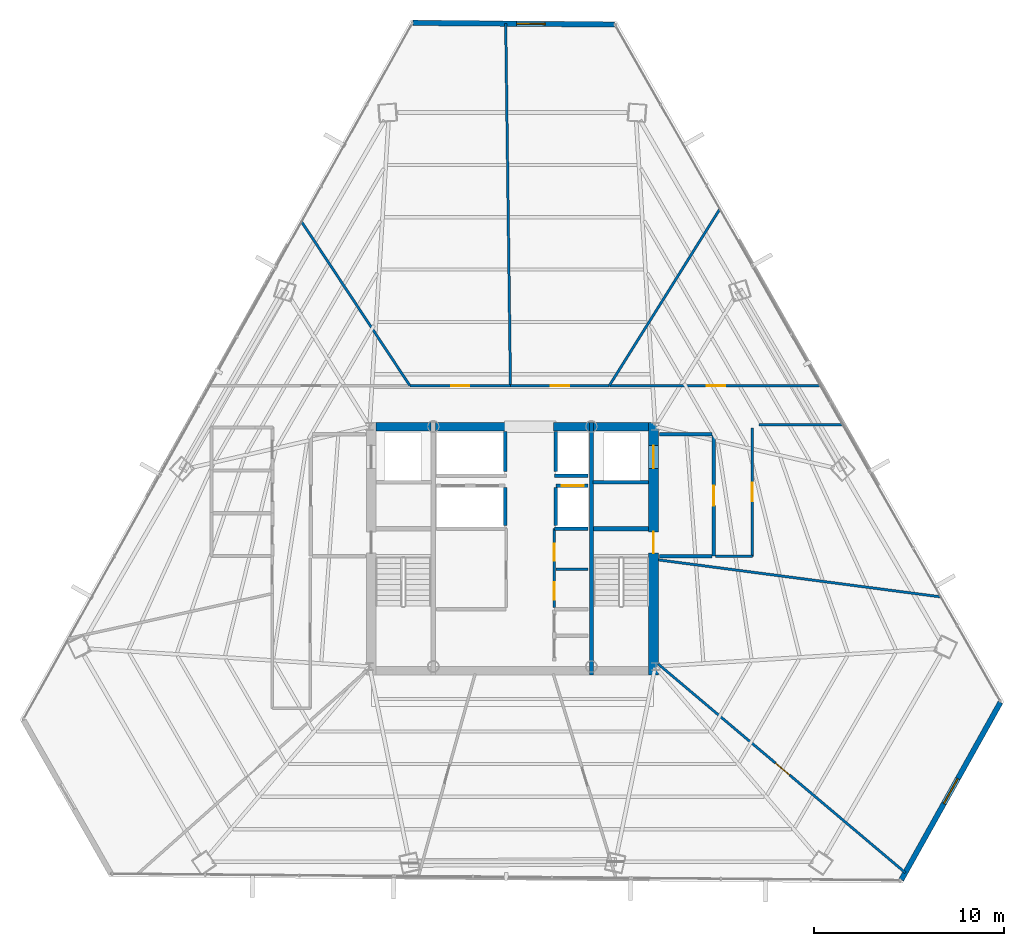
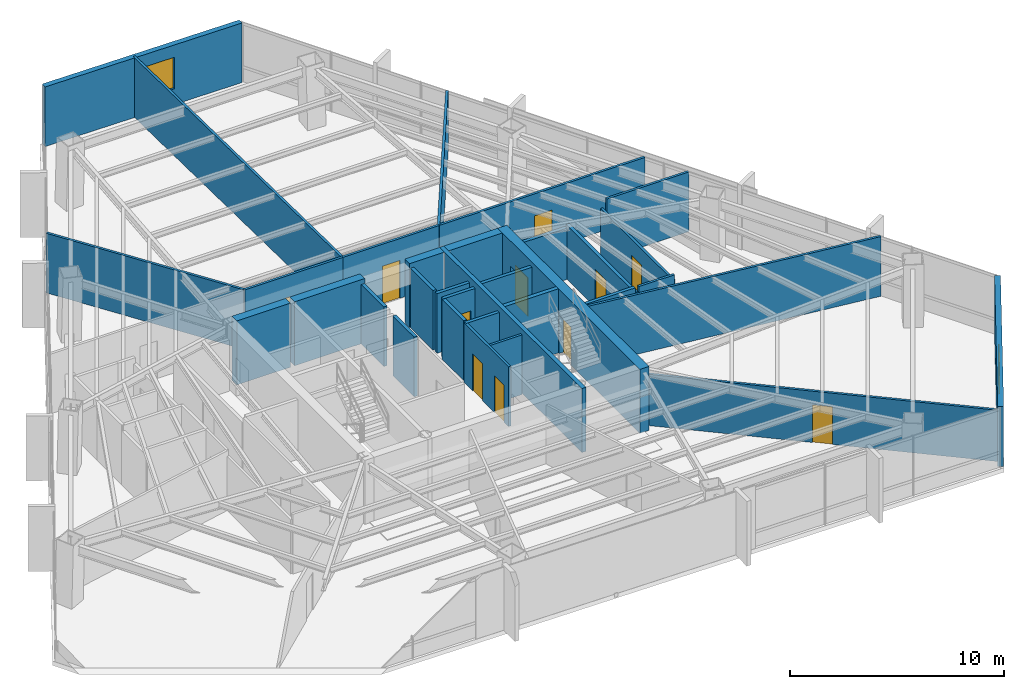
# One storey, part 35 of 39: 33 walls, 11 doors, 2 windows, 13 openings.
"""IFC4 building model written with IfcOpenShell, lengths in metres."""

import ifcopenshell
import ifcopenshell.guid

model = None  # the IFC model being written
_history = None  # IfcOwnerHistory: only IFC2X3 demands one
_inside = {}  # id of a spatial element -> (the spatial element, [elements in it])
_under = {}  # id of a project, library or spatial element -> (it, [spatial elements below it])
_declared = {}  # id of a project -> (the project, [libraries it declares])
_typed = {}  # id of a type object -> (the type object, [elements of that type])
_made_of = {}  # id of a material, layer set ... -> (it, [elements and type objects made of it])


def new_model(schema):
    """Start an empty IFC model of exactly this schema.

    Asked for "IFC4X3", IfcOpenShell would pick the latest addendum, in which some entities
    have other attributes; the version numbers below select the first issue.
    IFC2X3 requires an IfcOwnerHistory on every rooted entity: one is made here for all.
    """
    global model, _history
    if schema == "IFC4X3":
        model = ifcopenshell.file(schema_version=(4, 3, 0, 0))
    else:
        model = ifcopenshell.file(schema=schema)
    _inside.clear()
    _under.clear()
    _declared.clear()
    _typed.clear()
    _made_of.clear()
    _history = None
    if model.schema == "IFC2X3":
        org = make("IfcOrganization", Name="unknown")
        user = make(
            "IfcPersonAndOrganization",
            ThePerson=make("IfcPerson", FamilyName="unknown"),
            TheOrganization=org,
        )
        app = make(
            "IfcApplication",
            ApplicationDeveloper=org,
            Version="unknown",
            ApplicationFullName="unknown",
            ApplicationIdentifier="unknown",
        )
        _history = make(
            "IfcOwnerHistory",
            OwningUser=user,
            OwningApplication=app,
            ChangeAction="ADDED",
            CreationDate=0,
        )
    return model


def make(cls, **values):
    """One entity of the class cls with the attributes given. An attribute that is None is left unset."""
    return model.create_entity(
        cls, **{name: value for name, value in values.items() if value is not None}
    )


def rooted(cls, **values):
    """An entity with a GlobalId (a new one), such as an element, a storey or a relation."""
    return make(cls, GlobalId=ifcopenshell.guid.new(), OwnerHistory=_history, **values)


def si_unit(unit_type, name, prefix=None):
    """IfcSIUnit, for example si_unit("LENGTHUNIT", "METRE", prefix="MILLI")."""
    return make("IfcSIUnit", UnitType=unit_type, Prefix=prefix, Name=name)


def assignment(units):
    """IfcUnitAssignment: the units of a project."""
    return None if units is None else make("IfcUnitAssignment", Units=units)


def point(xyz):
    """IfcCartesianPoint."""
    return None if xyz is None else make("IfcCartesianPoint", Coordinates=xyz)


def direction(xyz):
    """IfcDirection."""
    return None if xyz is None else make("IfcDirection", DirectionRatios=xyz)


def frame(location, z_axis=None, x_axis=None):
    """IfcAxis2Placement3D, a coordinate frame: its origin and axes. An axis left out is left unset."""
    return make(
        "IfcAxis2Placement3D",
        Location=point(location),
        Axis=direction(z_axis),
        RefDirection=direction(x_axis),
    )


def frame_2d(location, x_axis=None):
    """IfcAxis2Placement2D, a coordinate frame in the plane: its origin and x axis."""
    return make(
        "IfcAxis2Placement2D", Location=point(location), RefDirection=direction(x_axis)
    )


def origin():
    """The frame at (0, 0, 0) with its axes left unset."""
    return frame((0.0, 0.0, 0.0))


def place(relative_to, where):
    """IfcLocalPlacement: puts the frame where relative to a parent placement (None: the world)."""
    return make(
        "IfcLocalPlacement", PlacementRelTo=relative_to, RelativePlacement=where
    )


def context(
    kind, dimensions, precision=None, world=None, true_north=None, identifier=None
):
    """IfcGeometricRepresentationContext, for example the 3D "Model" context."""
    return make(
        "IfcGeometricRepresentationContext",
        ContextIdentifier=identifier,
        ContextType=kind,
        CoordinateSpaceDimension=dimensions,
        Precision=precision,
        WorldCoordinateSystem=world,
        TrueNorth=true_north,
    )


def subcontext(parent, identifier, kind, view, scale=None):
    """IfcGeometricRepresentationSubContext, for example "Body" below "Model"."""
    return make(
        "IfcGeometricRepresentationSubContext",
        ContextIdentifier=identifier,
        ContextType=kind,
        ParentContext=parent,
        TargetScale=scale,
        TargetView=view,
    )


def project(units=None, contexts=None):
    """IfcProject with its units and contexts."""
    return rooted(
        "IfcProject",
        Name="project",
        RepresentationContexts=contexts,
        UnitsInContext=assignment(units),
    )


def spatial(cls, under=None, at=None, **own):
    """A site, building, storey or space (cls), placed at a placement, below another one or the project."""
    s = rooted(cls, ObjectPlacement=at, **own)
    if under is not None:
        _under.setdefault(under.id(), (under, []))[1].append(s)
    return s


def profile(cls, at=None, kind="AREA", **sizes):
    """A parametric profile (cls). Its sizes go by their IFC names, for example OverallWidth=200.0."""
    return make(cls, ProfileType=kind, Position=at, **sizes)


def rectangle(**sizes):
    """IfcRectangleProfileDef."""
    return profile("IfcRectangleProfileDef", **sizes)


def extrude(swept, where, along, depth):
    """IfcExtrudedAreaSolid: the profile swept, set in the frame where, extruded along a direction by depth."""
    return make(
        "IfcExtrudedAreaSolid",
        SweptArea=swept,
        Position=where,
        ExtrudedDirection=direction(along),
        Depth=depth,
    )


def shape(context_of_items, identifier, shape_type, items):
    """IfcShapeRepresentation: the items that make up one representation, for example the "Body"."""
    return make(
        "IfcShapeRepresentation",
        ContextOfItems=context_of_items,
        RepresentationIdentifier=identifier,
        RepresentationType=shape_type,
        Items=items,
    )


def material(Name=None, Category=None):
    """IfcMaterial."""
    return make("IfcMaterial", Name=Name, Category=Category)


def layer(
    of_material, thickness, ventilated=None, Name=None, Category=None, Priority=None
):
    """IfcMaterialLayer: one layer of a wall or slab, of a material (None: an air gap)."""
    return make(
        "IfcMaterialLayer",
        Material=of_material,
        LayerThickness=thickness,
        IsVentilated=ventilated,
        Name=Name,
        Category=Category,
        Priority=Priority,
    )


def layer_set(layers, Name=None):
    """IfcMaterialLayerSet."""
    return make("IfcMaterialLayerSet", MaterialLayers=layers, LayerSetName=Name)


def made_of(thing, what):
    """Note that an element or type object is made of a material, layer set ...; save() writes the relation."""
    if what is not None:
        _made_of.setdefault(what.id(), (what, []))[1].append(thing)
    return thing


def type_object(cls, material=None, **own):
    """A type object (cls), such as IfcWallType, which elements share."""
    return made_of(rooted(cls, **own), material)


def element(
    cls,
    number,
    at=None,
    inside=None,
    cuts=None,
    type_object=None,
    material=None,
    context=None,
    identifier="Body",
    shape_type=None,
    held_by="IfcProductDefinitionShape",
    body=None,
    shapes=None,
    **own,
):
    """One element of the class cls, such as IfcWall. Its Tag is "e" and its number.

    at: its placement. inside: the storey or other place that contains it. cuts: it is an
    opening in that element (IfcRelVoidsElement). A single representation is given by context,
    identifier, shape_type and body (its items); several are given by shapes. held_by: the class
    of the entity that holds the representations. save() writes the other relations.
    """
    e = rooted(cls, Tag="e%d" % number, ObjectPlacement=at, **own)
    if body is not None:
        shapes = [shape(context, identifier, shape_type, body)]
    if shapes is not None:
        e.Representation = make(held_by, Representations=shapes)
    if inside is not None:
        _inside.setdefault(inside.id(), (inside, []))[1].append(e)
    if cuts is not None:
        rooted(
            "IfcRelVoidsElement", RelatingBuildingElement=cuts, RelatedOpeningElement=e
        )
    if type_object is not None:
        _typed.setdefault(type_object.id(), (type_object, []))[1].append(e)
    return made_of(e, material)


def fill(opening, filler):
    """IfcRelFillsElement: the door or window that sits in an opening."""
    return rooted(
        "IfcRelFillsElement",
        RelatingOpeningElement=opening,
        RelatedBuildingElement=filler,
    )


def aggregate(whole, parts):
    """IfcRelAggregates: a whole, such as a stair, and the parts it consists of."""
    return rooted("IfcRelAggregates", RelatingObject=whole, RelatedObjects=parts)


def save(model, path):
    """Write the relations noted so far, then the file.

    IfcRelAggregates (storeys below a building ...), IfcRelContainedInSpatialStructure (elements
    in a storey), IfcRelDefinesByType, IfcRelAssociatesMaterial and IfcRelDeclares: one each for
    every whole, place, type object, material and project.
    """
    for whole, parts in _under.values():
        aggregate(whole, parts)
    for where, things in _inside.values():
        rooted(
            "IfcRelContainedInSpatialStructure",
            RelatedElements=things,
            RelatingStructure=where,
        )
    for kind, things in _typed.values():
        rooted("IfcRelDefinesByType", RelatedObjects=things, RelatingType=kind)
    for what, things in _made_of.values():
        rooted("IfcRelAssociatesMaterial", RelatedObjects=things, RelatingMaterial=what)
    for by, libraries in _declared.values():
        rooted("IfcRelDeclares", RelatingContext=by, RelatedDefinitions=libraries)
    model.write(path)


model = new_model("IFC4")

# Units and contexts
model_context = context("Model", 3, precision=1e-05, world=origin(), true_north=direction((0.0, 1.0)))
body_context = subcontext(model_context, "Body", "Model", "MODEL_VIEW")
ifc_project = project(units=[si_unit("LENGTHUNIT", "METRE"), si_unit("AREAUNIT", "SQUARE_METRE"), si_unit("VOLUMEUNIT", "CUBIC_METRE"), si_unit("PLANEANGLEUNIT", "RADIAN"), si_unit("MASSUNIT", "GRAM", prefix="KILO")], contexts=[model_context])

# Site, building, storey
site_placement = place(None, origin())
site = spatial("IfcSite", under=ifc_project, at=site_placement, CompositionType="ELEMENT")
building_placement = place(site_placement, origin())
building = spatial("IfcBuilding", under=site, at=building_placement, Name="Caelisora Broadcast Tower", CompositionType="ELEMENT")
storey_placement = place(building_placement, frame((0.0, 0.0, 142.75)))
storey = spatial("IfcBuildingStorey", under=building, at=storey_placement, Name="L37", CompositionType="ELEMENT", Elevation=142.75)

# Wall, openings, doors
ifc_material_1 = material(Name="Concrete 50 MPa (AS 3600 S50)", Category="concrete")
ifc_layer_1 = layer(ifc_material_1, 0.5, Name="Concrete 50 MPa (AS 3600 S50)")
ifc_layer_set_1 = layer_set([ifc_layer_1], Name="Concrete 50 MPa (AS 3600 S50)")
wall_type_1 = type_object("IfcWallType", Name="CW2", PredefinedType="SHEAR", material=ifc_layer_set_1)
wall_1_placement = place(storey_placement, frame((45.409912109375, 16.949951171875, 0.0), z_axis=(0.0, 0.0, 1.0), x_axis=(0.0, 1.0, 0.0)))
wall_1 = element("IfcWall", 1, at=wall_1_placement, inside=storey, type_object=wall_type_1, Name="L37 core shear wall CW2", PredefinedType="SHEAR", context=body_context, shape_type="SweptSolid", body=[
    extrude(rectangle(XDim=13.275146484375, YDim=0.5, at=frame_2d((6.6376953125, 0.0))), origin(), (0.0, 0.0, 1.0), 3.64990234375),
])
opening_1_placement = place(wall_1_placement, frame((6.39990234375, 0.0, 0.0)))
opening_1 = element("IfcOpeningElement", 2, at=opening_1_placement, cuts=wall_1, Name="Opening FD04", PredefinedType="OPENING", context=body_context, shape_type="SweptSolid", body=[
    extrude(rectangle(XDim=1.1201171875, YDim=2.14990234375, at=frame_2d((0.56005859375, 1.074951171875))), frame((0.0, 0.261962890625, 0.0), z_axis=(0.0, -1.0, 0.0), x_axis=(1.0, 0.0, 0.0)), (0.0, 0.0, 1.0), 0.52392578125),
])
opening_2_placement = place(wall_1_placement, frame((10.85009765625, 0.0, 0.0)))
opening_2 = element("IfcOpeningElement", 3, at=opening_2_placement, cuts=wall_1, Name="Opening LD04", PredefinedType="OPENING", context=body_context, shape_type="SweptSolid", body=[
    extrude(rectangle(XDim=1.199951171875, YDim=2.199951171875, at=frame_2d((0.60009765625, 1.10009765625))), frame((0.0, 0.261962890625, 0.0), z_axis=(0.0, -1.0, 0.0), x_axis=(1.0, 0.0, 0.0)), (0.0, 0.0, 1.0), 0.52392578125),
])
ifc_material_2 = material(Name="Pressurised Fire-Isolated Stair Door", Category="steel")
door_type_1 = type_object("IfcDoorType", Name="FD04", OperationType="NOTDEFINED", PredefinedType="DOOR", material=ifc_material_2)
door_1_placement = place(opening_1_placement, origin())
door_1 = element("IfcDoor", 4, at=door_1_placement, inside=storey, type_object=door_type_1, Name="L37 door FD04 (L37-DR-ST2)", OperationType="SINGLE_SWING_RIGHT", OverallHeight=2.14990234375, OverallWidth=1.1201171875, PredefinedType="DOOR", context=body_context, shape_type="SweptSolid", body=[
    extrude(rectangle(XDim=1.1201171875, YDim=2.14990234375, at=frame_2d((0.56005859375, 1.074951171875))), frame((0.0, 0.02490234375, 0.0), z_axis=(0.0, -1.0, 0.0), x_axis=(1.0, 0.0, 0.0)), (0.0, 0.0, 1.0), 0.050048828125),
])
fill(opening_1, door_1)
ifc_material_3 = material(Name="Emergency Firefighting Lift Sliding Landing Door", Category="steel")
door_type_2 = type_object("IfcDoorType", Name="LD04", OperationType="NOTDEFINED", PredefinedType="DOOR", material=ifc_material_3)
door_2_placement = place(opening_2_placement, origin())
door_2 = element("IfcDoor", 5, at=door_2_placement, inside=storey, type_object=door_type_2, Name="L37 door LD04 (L37-LD-FFL2)", OperationType="SLIDING_TO_RIGHT", OverallHeight=2.199951171875, OverallWidth=1.199951171875, PredefinedType="DOOR", context=body_context, shape_type="SweptSolid", body=[
    extrude(rectangle(XDim=1.199951171875, YDim=2.199951171875, at=frame_2d((0.60009765625, 1.10009765625))), frame((0.0, 0.02490234375, 0.0), z_axis=(0.0, -1.0, 0.0), x_axis=(1.0, 0.0, 0.0)), (0.0, 0.0, 1.0), 0.050048828125),
])
fill(opening_2, door_2)

# Walls
ifc_layer_2 = layer(ifc_material_1, 0.449951171875, Name="Concrete 50 MPa (AS 3600 S50)")
ifc_layer_set_2 = layer_set([ifc_layer_2], Name="Concrete 50 MPa (AS 3600 S50)")
wall_type_2 = type_object("IfcWallType", Name="CW5", PredefinedType="SHEAR", material=ifc_layer_set_2)
wall_2_placement = place(storey_placement, frame((30.840087890625, 30.0, 0.0), z_axis=(0.0, 0.0, 1.0), x_axis=(1.0, 0.0, 0.0)))
element("IfcWall", 6, at=wall_2_placement, inside=storey, type_object=wall_type_2, Name="L37 core shear wall CW5", PredefinedType="SHEAR", context=body_context, shape_type="SweptSolid", body=[
    extrude(rectangle(XDim=2.89990234375, YDim=0.449951171875, at=frame_2d((1.449951171875, 0.0))), origin(), (0.0, 0.0, 1.0), 3.64990234375),
])
wall_3_placement = place(storey_placement, frame((33.9599609375, 30.0, 0.0), z_axis=(0.0, 0.0, 1.0), x_axis=(1.0, 0.0, 0.0)))
element("IfcWall", 7, at=wall_3_placement, inside=storey, type_object=wall_type_2, Name="L37 core shear wall CW5", PredefinedType="SHEAR", context=body_context, shape_type="SweptSolid", body=[
    extrude(rectangle(XDim=3.780029296875, YDim=0.449951171875, at=frame_2d((1.89013671875, 0.0))), origin(), (0.0, 0.0, 1.0), 3.64990234375),
])
wall_4_placement = place(storey_placement, frame((40.159912109375, 30.0, 0.0), z_axis=(0.0, 0.0, 1.0), x_axis=(1.0, 0.0, 0.0)))
element("IfcWall", 8, at=wall_4_placement, inside=storey, type_object=wall_type_2, Name="L37 core shear wall CW5", PredefinedType="SHEAR", context=body_context, shape_type="SweptSolid", body=[
    extrude(rectangle(XDim=1.880126953125, YDim=0.449951171875, at=frame_2d((0.93994140625, 0.0))), origin(), (0.0, 0.0, 1.0), 3.64990234375),
])
wall_5_placement = place(storey_placement, frame((42.260009765625, 30.0, 0.0), z_axis=(0.0, 0.0, 1.0), x_axis=(1.0, 0.0, 0.0)))
element("IfcWall", 9, at=wall_5_placement, inside=storey, type_object=wall_type_2, Name="L37 core shear wall CW5", PredefinedType="SHEAR", context=body_context, shape_type="SweptSolid", body=[
    extrude(rectangle(XDim=2.89990234375, YDim=0.449951171875, at=frame_2d((1.449951171875, 0.0))), origin(), (0.0, 0.0, 1.0), 3.64990234375),
])
ifc_layer_3 = layer(ifc_material_1, 0.219970703125, Name="Concrete 50 MPa (AS 3600 S50)")
ifc_layer_set_3 = layer_set([ifc_layer_3], Name="Concrete 50 MPa (AS 3600 S50)")
wall_type_3 = type_object("IfcWallType", Name="CW7", PredefinedType="SHEAR", material=ifc_layer_set_3)
wall_6_placement = place(storey_placement, frame((42.14990234375, 16.949951171875, 0.0), z_axis=(0.0, 0.0, 1.0), x_axis=(0.0, 1.0, 0.0)))
element("IfcWall", 10, at=wall_6_placement, inside=storey, type_object=wall_type_3, Name="L37 core shear wall CW7", PredefinedType="SHEAR", context=body_context, shape_type="SweptSolid", body=[
    extrude(rectangle(XDim=13.275146484375, YDim=0.219970703125, at=frame_2d((6.6376953125, 0.0))), origin(), (0.0, 0.0, 1.0), 3.64990234375),
])
wall_7_placement = place(storey_placement, frame((42.260009765625, 24.639892578125, 0.0), z_axis=(0.0, 0.0, 1.0), x_axis=(1.0, 0.0, 0.0)))
element("IfcWall", 11, at=wall_7_placement, inside=storey, type_object=wall_type_3, Name="L37 core shear wall CW7", PredefinedType="SHEAR", context=body_context, shape_type="SweptSolid", body=[
    extrude(rectangle(XDim=2.89990234375, YDim=0.219970703125, at=frame_2d((1.449951171875, 0.0))), origin(), (0.0, 0.0, 1.0), 3.64990234375),
])

# Wall, opening, window
ifc_material_4 = material(Name="Insulated Terracotta Spandrel Wall System", Category="masonry")
ifc_layer_4 = layer(ifc_material_4, 0.280029296875, Name="Insulated Terracotta Spandrel Wall System")
ifc_layer_set_4 = layer_set([ifc_layer_4], Name="Insulated Terracotta Spandrel Wall System")
wall_type_4 = type_object("IfcWallType", Name="EW1", PredefinedType="STANDARD", material=ifc_layer_set_4)
wall_8_placement = place(storey_placement, frame((63.62451171875, 15.522705078125, 0.0), z_axis=(0.0, 0.0, 1.0), x_axis=(-0.487782920181, -0.872964960797, 0.0)))
wall_8 = element("IfcWall", 12, at=wall_8_placement, inside=storey, type_object=wall_type_4, Name="L37 exterior envelope wall EW1", PredefinedType="STANDARD", context=body_context, shape_type="SweptSolid", body=[
    extrude(rectangle(XDim=10.677001953125, YDim=0.280029296875, at=frame_2d((5.33837890625, 0.0))), origin(), (0.0, 0.0, 1.0), 3.39990234375),
])
opening_3_placement = place(wall_8_placement, frame((4.590087890625, 0.0, 0.89990234375)))
opening_3 = element("IfcOpeningElement", 13, at=opening_3_placement, cuts=wall_8, Name="Opening W02", PredefinedType="OPENING", context=body_context, shape_type="SweptSolid", body=[
    extrude(rectangle(XDim=1.5, YDim=1.800048828125, at=frame_2d((0.75, 0.89990234375))), frame((0.0, 0.152099609375, 0.0), z_axis=(0.0, -1.0, 0.0), x_axis=(1.0, 0.0, 0.0)), (0.0, 0.0, 1.0), 0.303955078125),
])
ifc_material_5 = material(Name="Double Glazed Terracotta-Framed Vision Window", Category="glass")
window_type = type_object("IfcWindowType", Name="W02", PartitioningType="SINGLE_PANEL", PredefinedType="WINDOW", material=ifc_material_5)
window_1_placement = place(opening_3_placement, origin())
window_1 = element("IfcWindow", 14, at=window_1_placement, inside=storey, type_object=window_type, Name="L37 window W02 (L37-WN-CH0)", OverallHeight=1.800048828125, OverallWidth=1.5, PartitioningType="SINGLE_PANEL", PredefinedType="WINDOW", context=body_context, shape_type="SweptSolid", body=[
    extrude(rectangle(XDim=1.5, YDim=1.800048828125, at=frame_2d((0.75, 0.89990234375))), frame((0.0, 0.030029296875, 0.0), z_axis=(0.0, -1.0, 0.0), x_axis=(1.0, 0.0, 0.0)), (0.0, 0.0, 1.0), 0.06005859375),
])
fill(opening_3, window_1)

wall_9_placement = place(storey_placement, frame((32.7958984375, 51.19287109375, 0.0), z_axis=(0.0, 0.0, 1.0), x_axis=(0.999967082267, -0.008113838963, 0.0)))
wall_9 = element("IfcWall", 15, at=wall_9_placement, inside=storey, type_object=wall_type_4, Name="L37 exterior envelope wall EW1", PredefinedType="STANDARD", context=body_context, shape_type="SweptSolid", body=[
    extrude(rectangle(XDim=10.561279296875, YDim=0.280029296875, at=frame_2d((5.28076171875, 0.0))), origin(), (0.0, 0.0, 1.0), 3.39990234375),
])
opening_4_placement = place(wall_9_placement, frame((5.429931640625, 0.0, 0.89990234375)))
opening_4 = element("IfcOpeningElement", 16, at=opening_4_placement, cuts=wall_9, Name="Opening W02", PredefinedType="OPENING", context=body_context, shape_type="SweptSolid", body=[
    extrude(rectangle(XDim=1.5, YDim=1.800048828125, at=frame_2d((0.75, 0.89990234375))), frame((0.0, 0.152099609375, 0.0), z_axis=(0.0, -1.0, 0.0), x_axis=(1.0, 0.0, 0.0)), (0.0, 0.0, 1.0), 0.303955078125),
])
window_2_placement = place(opening_4_placement, origin())
window_2 = element("IfcWindow", 17, at=window_2_placement, inside=storey, type_object=window_type, Name="L37 window W02 (L37-WN-CH8)", OverallHeight=1.800048828125, OverallWidth=1.5, PartitioningType="SINGLE_PANEL", PredefinedType="WINDOW", context=body_context, shape_type="SweptSolid", body=[
    extrude(rectangle(XDim=1.5, YDim=1.800048828125, at=frame_2d((0.75, 0.89990234375))), frame((0.0, 0.030029296875, 0.0), z_axis=(0.0, -1.0, 0.0), x_axis=(1.0, 0.0, 0.0)), (0.0, 0.0, 1.0), 0.06005859375),
])
fill(opening_4, window_2)

# Wall, opening, door
ifc_material_6 = material(Name="Fire-Rated Gypsum Shaft and Compartment Wall", Category="gypsum")
ifc_layer_5 = layer(ifc_material_6, 0.179931640625, Name="Fire-Rated Gypsum Shaft and Compartment Wall")
ifc_layer_set_5 = layer_set([ifc_layer_5], Name="Fire-Rated Gypsum Shaft and Compartment Wall")
wall_type_5 = type_object("IfcWallType", Name="PW2", PredefinedType="PARTITIONING", material=ifc_layer_set_5)
wall_10_placement = place(storey_placement, frame((40.280029296875, 26.89990234375, 0.0), z_axis=(0.0, 0.0, 1.0), x_axis=(1.0, 0.0, 0.0)))
wall_10 = element("IfcWall", 18, at=wall_10_placement, inside=storey, type_object=wall_type_5, Name="L37 fire compartment wall PW2", PredefinedType="PARTITIONING", context=body_context, shape_type="SweptSolid", body=[
    extrude(rectangle(XDim=1.699951171875, YDim=0.179931640625, at=frame_2d((0.85009765625, 0.0))), origin(), (0.0, 0.0, 1.0), 3.39990234375),
])
opening_5_placement = place(wall_10_placement, frame((0.320068359375, 0.0, 0.0)))
opening_5 = element("IfcOpeningElement", 19, at=opening_5_placement, cuts=wall_10, Name="Opening LD02", PredefinedType="OPENING", context=body_context, shape_type="SweptSolid", body=[
    extrude(rectangle(XDim=1.14990234375, YDim=2.199951171875, at=frame_2d((0.574951171875, 1.10009765625))), frame((0.0, 0.10205078125, 0.0), z_axis=(0.0, -1.0, 0.0), x_axis=(1.0, 0.0, 0.0)), (0.0, 0.0, 1.0), 0.203857421875),
])
ifc_material_7 = material(Name="High-Speed Express Lift Sliding Landing Door", Category="steel")
door_type_3 = type_object("IfcDoorType", Name="LD02", OperationType="NOTDEFINED", PredefinedType="DOOR", material=ifc_material_7)
door_3_placement = place(opening_5_placement, origin())
door_3 = element("IfcDoor", 20, at=door_3_placement, inside=storey, type_object=door_type_3, Name="L37 door LD02 (L37-LD-PLM3)", OperationType="SLIDING_TO_LEFT", OverallHeight=2.199951171875, OverallWidth=1.14990234375, PredefinedType="DOOR", context=body_context, shape_type="SweptSolid", body=[
    extrude(rectangle(XDim=1.14990234375, YDim=2.199951171875, at=frame_2d((0.574951171875, 1.10009765625))), frame((0.0, 0.02490234375, 0.0), z_axis=(0.0, -1.0, 0.0), x_axis=(1.0, 0.0, 0.0)), (0.0, 0.0, 1.0), 0.050048828125),
])
fill(opening_5, door_3)

# Walls
for number, where, z_axis, x_axis, name in (
    (21, (37.6201171875, 24.800048828125, 0.0), (0.0, 0.0, 1.0), (0.0, 1.0, 0.0), "L37 fire compartment wall PW2"),
    (22, (40.280029296875, 24.800048828125, 0.0), (0.0, 0.0, 1.0), (0.0, 1.0, 0.0), "L37 fire compartment wall PW2"),
):
    element("IfcWall", number, at=place(storey_placement, frame(where, z_axis=z_axis, x_axis=x_axis)), inside=storey, type_object=wall_type_5, Name=name, PredefinedType="PARTITIONING", context=body_context, shape_type="SweptSolid", body=[
        extrude(rectangle(XDim=2.0, YDim=0.179931640625, at=frame_2d((1.0, 0.0))), origin(), (0.0, 0.0, 1.0), 3.39990234375),
    ])
wall_11_placement = place(storey_placement, frame((40.199951171875, 24.639892578125, 0.0), z_axis=(0.0, 0.0, 1.0), x_axis=(1.0, 0.0, 0.0)))
element("IfcWall", 23, at=wall_11_placement, inside=storey, type_object=wall_type_5, Name="L37 fire compartment wall PW2", PredefinedType="PARTITIONING", context=body_context, shape_type="SweptSolid", body=[
    extrude(rectangle(XDim=1.780029296875, YDim=0.179931640625, at=frame_2d((0.89013671875, 0.0))), origin(), (0.0, 0.0, 1.0), 3.39990234375),
])
wall_12_placement = place(storey_placement, frame((40.219970703125, 27.419921875, 0.0), z_axis=(0.0, 0.0, 1.0), x_axis=(1.0, 0.0, 0.0)))
element("IfcWall", 24, at=wall_12_placement, inside=storey, type_object=wall_type_5, Name="L37 fire compartment wall PW2", PredefinedType="PARTITIONING", context=body_context, shape_type="SweptSolid", body=[
    extrude(rectangle(XDim=1.760009765625, YDim=0.179931640625, at=frame_2d((0.8798828125, 0.0))), origin(), (0.0, 0.0, 1.0), 3.39990234375),
])
for number, where, z_axis, x_axis, name in (
    (25, (37.6201171875, 27.639892578125, 0.0), (0.0, 0.0, 1.0), (0.0, 1.0, 0.0), "L37 fire compartment wall PW2"),
    (26, (40.280029296875, 27.639892578125, 0.0), (0.0, 0.0, 1.0), (0.0, 1.0, 0.0), "L37 fire compartment wall PW2"),
):
    element("IfcWall", number, at=place(storey_placement, frame(where, z_axis=z_axis, x_axis=x_axis)), inside=storey, type_object=wall_type_5, Name=name, PredefinedType="PARTITIONING", context=body_context, shape_type="SweptSolid", body=[
        extrude(rectangle(XDim=2.110107421875, YDim=0.179931640625, at=frame_2d((1.05517578125, 0.0))), origin(), (0.0, 0.0, 1.0), 3.39990234375),
    ])

# Wall, opening, door
wall_13_placement = place(storey_placement, frame((48.580078125, 23.199951171875, 0.0), z_axis=(0.0, 0.0, 1.0), x_axis=(0.0, 1.0, 0.0)))
wall_13 = element("IfcWall", 27, at=wall_13_placement, inside=storey, type_object=wall_type_5, Name="L37 fire compartment wall PW2", PredefinedType="PARTITIONING", context=body_context, shape_type="SweptSolid", body=[
    extrude(rectangle(XDim=6.400146484375, YDim=0.179931640625, at=frame_2d((3.2001953125, 0.0))), origin(), (0.0, 0.0, 1.0), 3.077880859375),
])
opening_6_placement = place(wall_13_placement, frame((2.64990234375, 0.0, 0.0)))
opening_6 = element("IfcOpeningElement", 28, at=opening_6_placement, cuts=wall_13, Name="Opening FD02", PredefinedType="OPENING", context=body_context, shape_type="SweptSolid", body=[
    extrude(rectangle(XDim=1.050048828125, YDim=2.14990234375, at=frame_2d((0.52490234375, 1.074951171875))), frame((0.0, 0.10205078125, 0.0), z_axis=(0.0, -1.0, 0.0), x_axis=(1.0, 0.0, 0.0)), (0.0, 0.0, 1.0), 0.203857421875),
])
ifc_material_8 = material(Name="Single-Leaf Steel Fire Lobby Door", Category="steel")
door_type_4 = type_object("IfcDoorType", Name="FD02", OperationType="NOTDEFINED", PredefinedType="DOOR", material=ifc_material_8)
door_4_placement = place(opening_6_placement, origin())
door_4 = element("IfcDoor", 29, at=door_4_placement, inside=storey, type_object=door_type_4, Name="L37 door FD02 (L37-DR-P04D1)", OperationType="SINGLE_SWING_LEFT", OverallHeight=2.14990234375, OverallWidth=1.050048828125, PredefinedType="DOOR", context=body_context, shape_type="SweptSolid", body=[
    extrude(rectangle(XDim=1.050048828125, YDim=2.14990234375, at=frame_2d((0.52490234375, 1.074951171875))), frame((0.0, 0.02490234375, 0.0), z_axis=(0.0, -1.0, 0.0), x_axis=(1.0, 0.0, 0.0)), (0.0, 0.0, 1.0), 0.050048828125),
])
fill(opening_6, door_4)

# Walls
wall_14_placement = place(storey_placement, frame((45.719970703125, 23.199951171875, 0.0), z_axis=(0.0, 0.0, 1.0), x_axis=(1.0, 0.0, 0.0)))
element("IfcWall", 30, at=wall_14_placement, inside=storey, type_object=wall_type_5, Name="L37 fire compartment wall PW2", PredefinedType="PARTITIONING", context=body_context, shape_type="SweptSolid", body=[
    extrude(rectangle(XDim=2.760009765625, YDim=0.179931640625, at=frame_2d((1.3798828125, 0.0))), origin(), (0.0, 0.0, 1.0), 3.39990234375),
])
wall_15_placement = place(storey_placement, frame((45.719970703125, 29.60009765625, 0.0), z_axis=(0.0, 0.0, 1.0), x_axis=(1.0, 0.0, 0.0)))
element("IfcWall", 31, at=wall_15_placement, inside=storey, type_object=wall_type_5, Name="L37 fire compartment wall PW2", PredefinedType="PARTITIONING", context=body_context, shape_type="SweptSolid", body=[
    extrude(rectangle(XDim=2.760009765625, YDim=0.179931640625, at=frame_2d((1.3798828125, 0.0))), origin(), (0.0, 0.0, 1.0), 2.924560546875),
])
wall_16_placement = place(storey_placement, frame((42.239990234375, 27.070068359375, 0.0), z_axis=(0.0, 0.0, 1.0), x_axis=(1.0, 0.0, 0.0)))
element("IfcWall", 32, at=wall_16_placement, inside=storey, type_object=wall_type_5, Name="L37 fire compartment wall PW2", PredefinedType="PARTITIONING", context=body_context, shape_type="SweptSolid", body=[
    extrude(rectangle(XDim=2.89990234375, YDim=0.179931640625, at=frame_2d((1.449951171875, 0.0))), origin(), (0.0, 0.0, 1.0), 3.39990234375),
])
ifc_material_9 = material(Name="Acoustic Steel-Stud Plasterboard Partition", Category="gypsum")
ifc_layer_6 = layer(ifc_material_9, 0.1298828125, Name="Acoustic Steel-Stud Plasterboard Partition")
ifc_layer_set_6 = layer_set([ifc_layer_6], Name="Acoustic Steel-Stud Plasterboard Partition")
wall_type_6 = type_object("IfcWallType", Name="PW3", PredefinedType="PARTITIONING", material=ifc_layer_set_6)
wall_17_placement = place(storey_placement, frame((40.280029296875, 22.5, 0.0), z_axis=(0.0, 0.0, 1.0), x_axis=(1.0, 0.0, 0.0)))
element("IfcWall", 33, at=wall_17_placement, inside=storey, type_object=wall_type_6, Name="L37 internal partition PW3", PredefinedType="PARTITIONING", context=body_context, shape_type="SweptSolid", body=[
    extrude(rectangle(XDim=1.699951171875, YDim=0.1298828125, at=frame_2d((0.85009765625, 0.0))), origin(), (0.0, 0.0, 1.0), 3.39990234375),
])

# Wall, openings, doors
wall_18_placement = place(storey_placement, frame((40.199951171875, 20.5, 0.0), z_axis=(0.0, 0.0, 1.0), x_axis=(0.0, 1.0, 0.0)))
wall_18 = element("IfcWall", 34, at=wall_18_placement, inside=storey, type_object=wall_type_6, Name="L37 internal partition PW3", PredefinedType="PARTITIONING", context=body_context, shape_type="SweptSolid", body=[
    extrude(rectangle(XDim=4.139892578125, YDim=0.1298828125, at=frame_2d((2.06982421875, 0.0))), origin(), (0.0, 0.0, 1.0), 3.39990234375),
])
opening_7_placement = place(wall_18_placement, frame((0.419921875, 0.0, 0.0)))
opening_7 = element("IfcOpeningElement", 35, at=opening_7_placement, cuts=wall_18, Name="Opening FD03", PredefinedType="OPENING", context=body_context, shape_type="SweptSolid", body=[
    extrude(rectangle(XDim=0.89990234375, YDim=2.10009765625, at=frame_2d((0.449951171875, 1.050048828125))), frame((0.0, 0.076904296875, 0.0), z_axis=(0.0, -1.0, 0.0), x_axis=(1.0, 0.0, 0.0)), (0.0, 0.0, 1.0), 0.15380859375),
])
opening_8_placement = place(wall_18_placement, frame((2.449951171875, 0.0, 0.0)))
opening_8 = element("IfcOpeningElement", 36, at=opening_8_placement, cuts=wall_18, Name="Opening FD03", PredefinedType="OPENING", context=body_context, shape_type="SweptSolid", body=[
    extrude(rectangle(XDim=0.89990234375, YDim=2.10009765625, at=frame_2d((0.449951171875, 1.050048828125))), frame((0.0, 0.076904296875, 0.0), z_axis=(0.0, -1.0, 0.0), x_axis=(1.0, 0.0, 0.0)), (0.0, 0.0, 1.0), 0.15380859375),
])
ifc_material_10 = material(Name="Single-Leaf Steel Riser Fire Access Door", Category="steel")
door_type_5 = type_object("IfcDoorType", Name="FD03", OperationType="NOTDEFINED", PredefinedType="DOOR", material=ifc_material_10)
door_5_placement = place(opening_7_placement, origin())
door_5 = element("IfcDoor", 37, at=door_5_placement, inside=storey, type_object=door_type_5, Name="L37 door FD03 (L37-DR-P13D1)", OperationType="SINGLE_SWING_LEFT", OverallHeight=2.10009765625, OverallWidth=0.89990234375, PredefinedType="DOOR", context=body_context, shape_type="SweptSolid", body=[
    extrude(rectangle(XDim=0.89990234375, YDim=2.10009765625, at=frame_2d((0.449951171875, 1.050048828125))), frame((0.0, 0.02490234375, 0.0), z_axis=(0.0, -1.0, 0.0), x_axis=(1.0, 0.0, 0.0)), (0.0, 0.0, 1.0), 0.050048828125),
])
fill(opening_7, door_5)
door_6_placement = place(opening_8_placement, origin())
door_6 = element("IfcDoor", 38, at=door_6_placement, inside=storey, type_object=door_type_5, Name="L37 door FD03 (L37-DR-P13D2)", OperationType="SINGLE_SWING_RIGHT", OverallHeight=2.10009765625, OverallWidth=0.89990234375, PredefinedType="DOOR", context=body_context, shape_type="SweptSolid", body=[
    extrude(rectangle(XDim=0.89990234375, YDim=2.10009765625, at=frame_2d((0.449951171875, 1.050048828125))), frame((0.0, 0.02490234375, 0.0), z_axis=(0.0, -1.0, 0.0), x_axis=(1.0, 0.0, 0.0)), (0.0, 0.0, 1.0), 0.050048828125),
])
fill(opening_8, door_6)

# Wall
wall_19_placement = place(storey_placement, frame((37.651123046875, 51.158447265625, 0.0), z_axis=(0.0, 0.0, 1.0), x_axis=(0.01309017051, -0.999914320047, 0.0)))
element("IfcWall", 39, at=wall_19_placement, inside=storey, type_object=wall_type_6, Name="L37 internal partition PW3", PredefinedType="PARTITIONING", context=body_context, shape_type="SweptSolid", body=[
    extrude(rectangle(XDim=19.005126953125, YDim=0.1298828125, at=frame_2d((9.50244140625, 0.0))), origin(), (0.0, 0.0, 1.0), 3.39990234375),
])

# Wall, opening, door
wall_20_placement = place(storey_placement, frame((45.656982421875, 17.531982421875, 0.0), z_axis=(0.0, 0.0, 1.0), x_axis=(0.764051175914, -0.64515564059, 0.0)))
wall_20 = element("IfcWall", 40, at=wall_20_placement, inside=storey, type_object=wall_type_6, Name="L37 internal partition PW3", PredefinedType="PARTITIONING", context=body_context, shape_type="SweptSolid", body=[
    extrude(rectangle(XDim=16.981689453125, YDim=0.1298828125, at=frame_2d((8.49072265625, 0.0))), origin(), (0.0, 0.0, 1.0), 2.924560546875),
])
opening_9_placement = place(wall_20_placement, frame((8.06201171875, 0.0, 0.0)))
opening_9 = element("IfcOpeningElement", 41, at=opening_9_placement, cuts=wall_20, Name="Opening D01", PredefinedType="OPENING", context=body_context, shape_type="SweptSolid", body=[
    extrude(rectangle(XDim=0.9599609375, YDim=2.14990234375, at=frame_2d((0.47998046875, 1.074951171875))), frame((0.0, 0.076904296875, 0.0), z_axis=(0.0, -1.0, 0.0), x_axis=(1.0, 0.0, 0.0)), (0.0, 0.0, 1.0), 0.15380859375),
])
ifc_material_11 = material(Name="Solid-Core Timber Acoustic Office Door", Category="wood")
door_type_6 = type_object("IfcDoorType", Name="D01", OperationType="NOTDEFINED", PredefinedType="DOOR", material=ifc_material_11)
door_7_placement = place(opening_9_placement, origin())
door_7 = element("IfcDoor", 42, at=door_7_placement, inside=storey, type_object=door_type_6, Name="L37 door D01 (L37-DR-P28D1)", OperationType="SINGLE_SWING_RIGHT", OverallHeight=2.14990234375, OverallWidth=0.9599609375, PredefinedType="DOOR", context=body_context, shape_type="SweptSolid", body=[
    extrude(rectangle(XDim=0.9599609375, YDim=2.14990234375, at=frame_2d((0.47998046875, 1.074951171875))), frame((0.0, 0.02490234375, 0.0), z_axis=(0.0, -1.0, 0.0), x_axis=(1.0, 0.0, 0.0)), (0.0, 0.0, 1.0), 0.050048828125),
])
fill(opening_9, door_7)

# Wall
wall_21_placement = place(storey_placement, frame((45.674072265625, 23.0, 0.0), z_axis=(0.0, 0.0, 1.0), x_axis=(0.991521425722, -0.129943304307, 0.0)))
element("IfcWall", 43, at=wall_21_placement, inside=storey, type_object=wall_type_6, Name="L37 internal partition PW3", PredefinedType="PARTITIONING", context=body_context, shape_type="SweptSolid", body=[
    extrude(rectangle(XDim=14.961181640625, YDim=0.1298828125, at=frame_2d((7.48046875, 0.0))), origin(), (0.0, 0.0, 1.0), 3.39990234375),
])

# Wall, opening, door
wall_22_placement = place(storey_placement, frame((43.094970703125, 32.14990234375, 0.0), z_axis=(0.0, 0.0, 1.0), x_axis=(1.0, 0.0, 0.0)))
wall_22 = element("IfcWall", 44, at=wall_22_placement, inside=storey, type_object=wall_type_6, Name="L37 internal partition PW3", PredefinedType="PARTITIONING", context=body_context, shape_type="SweptSolid", body=[
    extrude(rectangle(XDim=11.0947265625, YDim=0.1298828125, at=frame_2d((5.54736328125, 0.0))), origin(), (0.0, 0.0, 1.0), 3.39990234375),
])
opening_10_placement = place(wall_22_placement, frame((5.1220703125, 0.0, 0.0)))
opening_10 = element("IfcOpeningElement", 45, at=opening_10_placement, cuts=wall_22, Name="Opening D01", PredefinedType="OPENING", context=body_context, shape_type="SweptSolid", body=[
    extrude(rectangle(XDim=0.9599609375, YDim=2.14990234375, at=frame_2d((0.47998046875, 1.074951171875))), frame((0.0, 0.076904296875, 0.0), z_axis=(0.0, -1.0, 0.0), x_axis=(1.0, 0.0, 0.0)), (0.0, 0.0, 1.0), 0.15380859375),
])
door_8_placement = place(opening_10_placement, origin())
door_8 = element("IfcDoor", 46, at=door_8_placement, inside=storey, type_object=door_type_6, Name="L37 door D01 (L37-DR-P33D1)", OperationType="SINGLE_SWING_RIGHT", OverallHeight=2.14990234375, OverallWidth=0.9599609375, PredefinedType="DOOR", context=body_context, shape_type="SweptSolid", body=[
    extrude(rectangle(XDim=0.9599609375, YDim=2.14990234375, at=frame_2d((0.47998046875, 1.074951171875))), frame((0.0, 0.02490234375, 0.0), z_axis=(0.0, -1.0, 0.0), x_axis=(1.0, 0.0, 0.0)), (0.0, 0.0, 1.0), 0.050048828125),
])
fill(opening_10, door_8)

# Walls
wall_23_placement = place(storey_placement, frame((43.093017578125, 32.154052734375, 0.0), z_axis=(0.0, 0.0, 1.0), x_axis=(0.530459845731, 0.847710063682, 0.0)))
element("IfcWall", 47, at=wall_23_placement, inside=storey, type_object=wall_type_6, Name="L37 internal partition PW3", PredefinedType="PARTITIONING", context=body_context, shape_type="SweptSolid", body=[
    extrude(rectangle(XDim=10.94921875, YDim=0.1298828125, at=frame_2d((5.474609375, 0.0))), origin(), (0.0, 0.0, 1.0), 3.39990234375),
])
wall_24_placement = place(storey_placement, frame((26.929931640625, 40.759033203125, 0.0), z_axis=(0.0, 0.0, 1.0), x_axis=(0.551363772312, -0.834264940281, 0.0)))
element("IfcWall", 48, at=wall_24_placement, inside=storey, type_object=wall_type_6, Name="L37 internal partition PW3", PredefinedType="PARTITIONING", context=body_context, shape_type="SweptSolid", body=[
    extrude(rectangle(XDim=10.314453125, YDim=0.1298828125, at=frame_2d((5.1572265625, 0.0))), origin(), (0.0, 0.0, 1.0), 3.39990234375),
])

# Wall, opening, door
wall_25_placement = place(storey_placement, frame((50.60009765625, 23.18505859375, 0.0), z_axis=(0.0, 0.0, 1.0), x_axis=(0.0, 1.0, 0.0)))
wall_25 = element("IfcWall", 49, at=wall_25_placement, inside=storey, type_object=wall_type_6, Name="L37 internal partition PW3", PredefinedType="PARTITIONING", context=body_context, shape_type="SweptSolid", body=[
    extrude(rectangle(XDim=6.744873046875, YDim=0.1298828125, at=frame_2d((3.37255859375, 0.0))), origin(), (0.0, 0.0, 1.0), 3.077880859375),
])
opening_11_placement = place(wall_25_placement, frame((2.89306640625, 0.0, 0.0)))
opening_11 = element("IfcOpeningElement", 50, at=opening_11_placement, cuts=wall_25, Name="Opening D01", PredefinedType="OPENING", context=body_context, shape_type="SweptSolid", body=[
    extrude(rectangle(XDim=0.9599609375, YDim=2.14990234375, at=frame_2d((0.47998046875, 1.074951171875))), frame((0.0, 0.076904296875, 0.0), z_axis=(0.0, -1.0, 0.0), x_axis=(1.0, 0.0, 0.0)), (0.0, 0.0, 1.0), 0.15380859375),
])
door_9_placement = place(opening_11_placement, origin())
door_9 = element("IfcDoor", 51, at=door_9_placement, inside=storey, type_object=door_type_6, Name="L37 door D01 (L37-DR-P41D1)", OperationType="SINGLE_SWING_LEFT", OverallHeight=2.14990234375, OverallWidth=0.9599609375, PredefinedType="DOOR", context=body_context, shape_type="SweptSolid", body=[
    extrude(rectangle(XDim=0.9599609375, YDim=2.14990234375, at=frame_2d((0.47998046875, 1.074951171875))), frame((0.0, 0.02490234375, 0.0), z_axis=(0.0, -1.0, 0.0), x_axis=(1.0, 0.0, 0.0)), (0.0, 0.0, 1.0), 0.050048828125),
])
fill(opening_11, door_9)

wall_26_placement = place(storey_placement, frame((32.625, 32.14990234375, 0.0), z_axis=(0.0, 0.0, 1.0), x_axis=(1.0, 0.0, 0.0)))
wall_26 = element("IfcWall", 52, at=wall_26_placement, inside=storey, type_object=wall_type_6, Name="L37 internal partition PW3", PredefinedType="PARTITIONING", context=body_context, shape_type="SweptSolid", body=[
    extrude(rectangle(XDim=5.27001953125, YDim=0.1298828125, at=frame_2d((2.635009765625, 0.0))), origin(), (0.0, 0.0, 1.0), 3.39990234375),
])
opening_12_placement = place(wall_26_placement, frame((2.155029296875, 0.0, 0.0)))
opening_12 = element("IfcOpeningElement", 53, at=opening_12_placement, cuts=wall_26, Name="Opening D01", PredefinedType="OPENING", context=body_context, shape_type="SweptSolid", body=[
    extrude(rectangle(XDim=0.9599609375, YDim=2.14990234375, at=frame_2d((0.47998046875, 1.074951171875))), frame((0.0, 0.076904296875, 0.0), z_axis=(0.0, -1.0, 0.0), x_axis=(1.0, 0.0, 0.0)), (0.0, 0.0, 1.0), 0.15380859375),
])
door_10_placement = place(opening_12_placement, origin())
door_10 = element("IfcDoor", 54, at=door_10_placement, inside=storey, type_object=door_type_6, Name="L37 door D01 (L37-DR-P43D1)", OperationType="SINGLE_SWING_RIGHT", OverallHeight=2.14990234375, OverallWidth=0.9599609375, PredefinedType="DOOR", context=body_context, shape_type="SweptSolid", body=[
    extrude(rectangle(XDim=0.9599609375, YDim=2.14990234375, at=frame_2d((0.47998046875, 1.074951171875))), frame((0.0, 0.02490234375, 0.0), z_axis=(0.0, -1.0, 0.0), x_axis=(1.0, 0.0, 0.0)), (0.0, 0.0, 1.0), 0.050048828125),
])
fill(opening_12, door_10)

wall_27_placement = place(storey_placement, frame((37.905029296875, 32.14990234375, 0.0), z_axis=(0.0, 0.0, 1.0), x_axis=(1.0, 0.0, 0.0)))
wall_27 = element("IfcWall", 55, at=wall_27_placement, inside=storey, type_object=wall_type_6, Name="L37 internal partition PW3", PredefinedType="PARTITIONING", context=body_context, shape_type="SweptSolid", body=[
    extrude(rectangle(XDim=5.179931640625, YDim=0.1298828125, at=frame_2d((2.58984375, 0.0))), origin(), (0.0, 0.0, 1.0), 3.39990234375),
])
opening_13_placement = place(wall_27_placement, frame((2.110107421875, 0.0, 0.0)))
opening_13 = element("IfcOpeningElement", 56, at=opening_13_placement, cuts=wall_27, Name="Opening D01", PredefinedType="OPENING", context=body_context, shape_type="SweptSolid", body=[
    extrude(rectangle(XDim=0.9599609375, YDim=2.14990234375, at=frame_2d((0.47998046875, 1.074951171875))), frame((0.0, 0.076904296875, 0.0), z_axis=(0.0, -1.0, 0.0), x_axis=(1.0, 0.0, 0.0)), (0.0, 0.0, 1.0), 0.15380859375),
])
door_11_placement = place(opening_13_placement, origin())
door_11 = element("IfcDoor", 57, at=door_11_placement, inside=storey, type_object=door_type_6, Name="L37 door D01 (L37-DR-P44D1)", OperationType="SINGLE_SWING_LEFT", OverallHeight=2.14990234375, OverallWidth=0.9599609375, PredefinedType="DOOR", context=body_context, shape_type="SweptSolid", body=[
    extrude(rectangle(XDim=0.9599609375, YDim=2.14990234375, at=frame_2d((0.47998046875, 1.074951171875))), frame((0.0, 0.02490234375, 0.0), z_axis=(0.0, -1.0, 0.0), x_axis=(1.0, 0.0, 0.0)), (0.0, 0.0, 1.0), 0.050048828125),
])
fill(opening_13, door_11)

# Walls
wall_28_placement = place(storey_placement, frame((50.93994140625, 30.10009765625, 0.0), z_axis=(0.0, 0.0, 1.0), x_axis=(1.0, 0.0, 0.0)))
element("IfcWall", 58, at=wall_28_placement, inside=storey, type_object=wall_type_6, Name="L37 internal partition PW3", PredefinedType="PARTITIONING", context=body_context, shape_type="SweptSolid", body=[
    extrude(rectangle(XDim=4.41748046875, YDim=0.1298828125, at=frame_2d((2.208740234375, 0.0))), origin(), (0.0, 0.0, 1.0), 3.39990234375),
])
wall_29_placement = place(storey_placement, frame((48.675048828125, 23.179931640625, 0.0), z_axis=(0.0, 0.0, 1.0), x_axis=(1.0, 0.0, 0.0)))
element("IfcWall", 59, at=wall_29_placement, inside=storey, type_object=wall_type_6, Name="L37 internal partition PW3", PredefinedType="PARTITIONING", context=body_context, shape_type="SweptSolid", body=[
    extrude(rectangle(XDim=1.919921875, YDim=0.1298828125, at=frame_2d((0.9599609375, 0.0))), origin(), (0.0, 0.0, 1.0), 3.39990234375),
])

save(model, "model.ifc")
